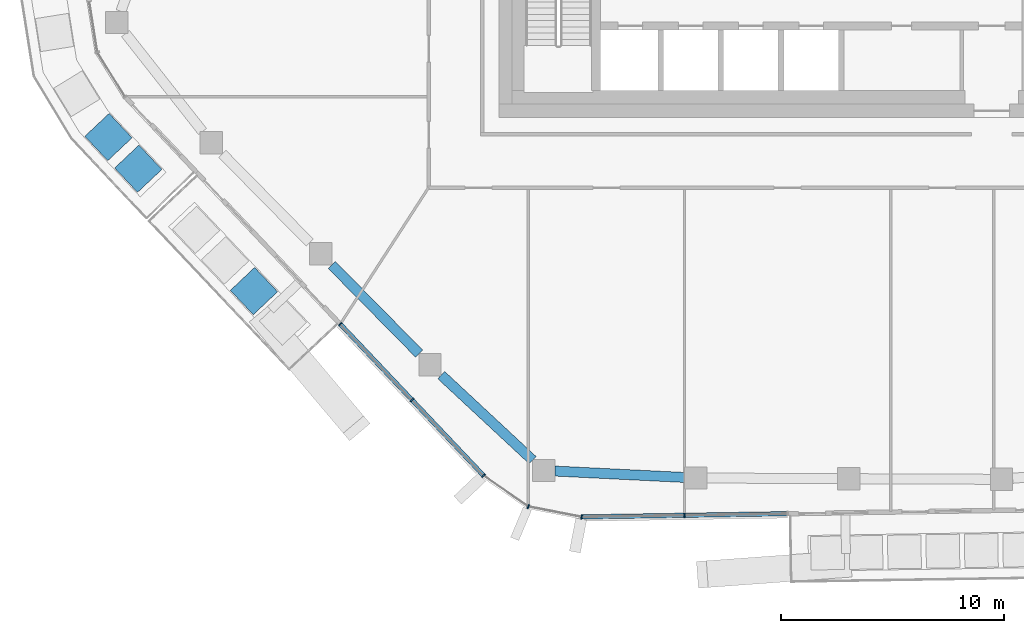
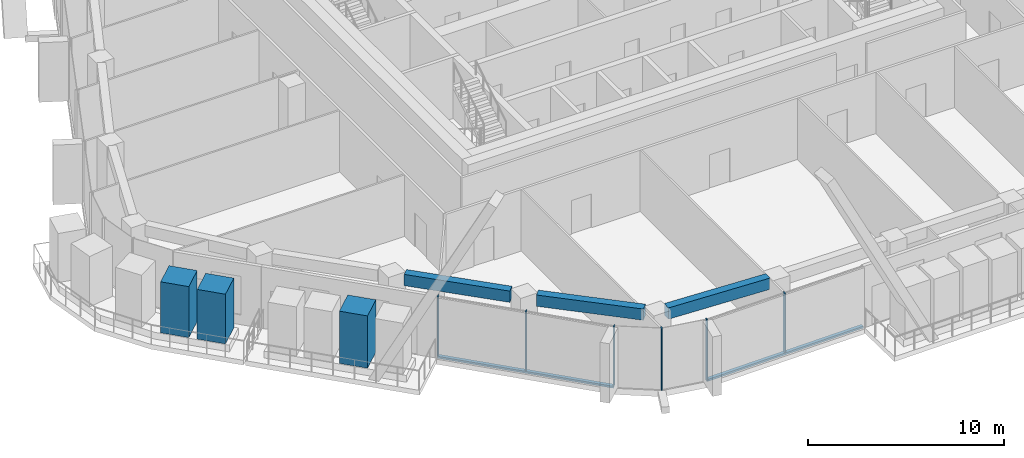
# One storey, part 2 of 24: 11 members, 3 beams, 3 elements without a shape of their own.
"""IFC4 building model written with IfcOpenShell, lengths in metres."""

from ifc_helpers import new_model, si_unit, direction, frame, origin, origin_2d, place, context, subcontext, project, spatial, rectangle, extrude, material, layer, layer_set, material_profile, profile_set, type_object, element, aggregate, save


model = new_model("IFC4")

# Units and contexts
model_context = context("Model", 3, precision=1e-05, world=origin(), true_north=direction((0.0, 1.0)))
body_context = subcontext(model_context, "Body", "Model", "MODEL_VIEW")
ifc_project = project(units=[si_unit("LENGTHUNIT", "METRE"), si_unit("AREAUNIT", "SQUARE_METRE"), si_unit("VOLUMEUNIT", "CUBIC_METRE"), si_unit("PLANEANGLEUNIT", "RADIAN"), si_unit("MASSUNIT", "GRAM", prefix="KILO")], contexts=[model_context])

# Site, building, storey
site_placement = place(None, origin())
site = spatial("IfcSite", under=ifc_project, at=site_placement, CompositionType="ELEMENT")
building_placement = place(site_placement, origin())
building = spatial("IfcBuilding", under=site, at=building_placement, Name="Dongbaek Canopy Tower", CompositionType="ELEMENT")
storey_placement = place(building_placement, frame((0.0, 0.0, 298.39990234375)))
storey = spatial("IfcBuildingStorey", under=building, at=storey_placement, Name="L63", CompositionType="ELEMENT", Elevation=298.39990234375)

# Curtain wall, members
ifc_material_1 = material(Name="Aluminium 6063-T6 pale anodised", Category="aluminium")
ifc_layer = layer(ifc_material_1, 0.199951171875)
ifc_layer_set = layer_set([ifc_layer], Name="CW-1 unitised tower curtain wall")
curtain_wall_type = type_object("IfcCurtainWallType", Name="CW-1 unitised tower curtain wall", PredefinedType="NOTDEFINED", material=ifc_layer_set)
curtain_wall_1_placement = place(storey_placement, origin())
curtain_wall_1 = element("IfcCurtainWall", 1, at=curtain_wall_1_placement, inside=storey, type_object=curtain_wall_type, Name="CW-1 curtain wall F3.1", PredefinedType="NOTDEFINED")
ifc_material_2 = material(Name="Aluminium 6063-T6 pale anodised", Category="aluminium")
ifc_material_profile_1 = material_profile(ifc_material_2, rectangle(XDim=0.199951171875, YDim=0.06005859375, at=origin_2d()), Name="CW-1 mullion 60 x 200")
ifc_profile_set_1 = profile_set([ifc_material_profile_1], Name="Aluminium 6063-T6 pale anodised")
member_type_1 = type_object("IfcMemberType", Name="CW-1 mullion 60 x 200", PredefinedType="MULLION", material=ifc_profile_set_1)
member_1_placement = place(storey_placement, frame((-21.110107421875, -20.26953125, 0.1201171875), z_axis=(0.0, 0.0, 1.0), x_axis=(-0.72635486076, -0.687319879132, 0.0)))
member_1 = element("IfcMember", 2, at=member_1_placement, type_object=member_type_1, Name="CW-1 mullion F3.1.1", PredefinedType="MULLION", context=body_context, shape_type="SweptSolid", body=[
    extrude(rectangle(XDim=0.199951171875, YDim=0.06005859375, at=origin_2d()), origin(), (0.0, 0.0, 1.0), 3.699951171875),
])
member_2_placement = place(storey_placement, frame((-17.893310546875, -23.6689453125, 0.1201171875), z_axis=(0.0, 0.0, 1.0), x_axis=(-0.72635486076, -0.687319879132, 0.0)))
member_2 = element("IfcMember", 3, at=member_2_placement, type_object=member_type_1, Name="CW-1 mullion F3.1.2", PredefinedType="MULLION", context=body_context, shape_type="SweptSolid", body=[
    extrude(rectangle(XDim=0.199951171875, YDim=0.06005859375, at=origin_2d()), origin(), (0.0, 0.0, 1.0), 3.699951171875),
])
member_3_placement = place(storey_placement, frame((-14.683837890625, -27.060546875, 0.1201171875), z_axis=(0.0, 0.0, 1.0), x_axis=(-0.72635486076, -0.687319879132, 0.0)))
member_3 = element("IfcMember", 4, at=member_3_placement, type_object=member_type_1, Name="CW-1 mullion F3.1.3", PredefinedType="MULLION", context=body_context, shape_type="SweptSolid", body=[
    extrude(rectangle(XDim=0.199951171875, YDim=0.06005859375, at=origin_2d()), origin(), (0.0, 0.0, 1.0), 3.699951171875),
])

curtain_wall_2_placement = place(storey_placement, origin())
curtain_wall_2 = element("IfcCurtainWall", 5, at=curtain_wall_2_placement, inside=storey, type_object=curtain_wall_type, Name="CW-1 curtain wall K4.1", PredefinedType="NOTDEFINED")
member_4_placement = place(storey_placement, frame((-12.6806640625, -28.4482421875, 0.0), z_axis=(0.0, 0.0, 1.0), x_axis=(-0.388183293071, -0.921582188945, 0.0)))
member_4 = element("IfcMember", 6, at=member_4_placement, type_object=member_type_1, Name="CW-1 mullion K4.1.2", PredefinedType="MULLION", context=body_context, shape_type="SweptSolid", body=[
    extrude(rectangle(XDim=0.199951171875, YDim=0.06005859375, at=origin_2d()), origin(), (0.0, 0.0, 1.0), 3.820068359375),
])
member_5_placement = place(storey_placement, frame((-10.2880859375, -28.912109375, 0.0), z_axis=(0.0, 0.0, 1.0), x_axis=(-0.190319354711, -0.981722233232, 0.0)))
member_5 = element("IfcMember", 7, at=member_5_placement, type_object=member_type_1, Name="CW-1 mullion K4.1.3", PredefinedType="MULLION", context=body_context, shape_type="SweptSolid", body=[
    extrude(rectangle(XDim=0.199951171875, YDim=0.06005859375, at=origin_2d()), origin(), (0.0, 0.0, 1.0), 3.820068359375),
])
aggregate(curtain_wall_2, [member_4, member_5])

# Curtain wall, member
curtain_wall_3_placement = place(storey_placement, origin())
curtain_wall_3 = element("IfcCurtainWall", 8, at=curtain_wall_3_placement, inside=storey, type_object=curtain_wall_type, Name="CW-1 curtain wall F4.1", PredefinedType="NOTDEFINED")
member_6_placement = place(storey_placement, frame((-5.6767578125, -28.83984375, 0.1201171875), z_axis=(0.0, 0.0, 1.0), x_axis=(0.015683964455, -0.999876999065, 0.0)))
member_6 = element("IfcMember", 9, at=member_6_placement, type_object=member_type_1, Name="CW-1 mullion F4.1.2", PredefinedType="MULLION", context=body_context, shape_type="SweptSolid", body=[
    extrude(rectangle(XDim=0.199951171875, YDim=0.06005859375, at=origin_2d()), origin(), (0.0, 0.0, 1.0), 3.699951171875),
])

# Member
ifc_material_3 = material(Name="Aluminium 6063-T6 pale anodised", Category="aluminium")
ifc_material_profile_2 = material_profile(ifc_material_3, rectangle(XDim=0.199951171875, YDim=0.1201171875, at=origin_2d()), Name="CW-1 transom 120 x 200")
ifc_profile_set_2 = profile_set([ifc_material_profile_2], Name="Aluminium 6063-T6 pale anodised")
member_type_2 = type_object("IfcMemberType", Name="CW-1 transom 120 x 200", PredefinedType="USERDEFINED", material=ifc_profile_set_2)
member_7_placement = place(storey_placement, frame((-21.110107421875, -20.26953125, 0.06005859375), z_axis=(0.687331693276, -0.726343681337, 0.0), x_axis=(0.726343681337, 0.687331693276, 0.0)))
member_7 = element("IfcMember", 10, at=member_7_placement, type_object=member_type_2, Name="CW-1 transom F3.1.1", ObjectType="TRANSOM", PredefinedType="USERDEFINED", context=body_context, shape_type="SweptSolid", body=[
    extrude(rectangle(XDim=0.199951171875, YDim=0.1201171875, at=origin_2d()), origin(), (0.0, 0.0, 1.0), 9.349609375),
])

aggregate(curtain_wall_1, [member_1, member_2, member_3, member_7])

member_8_placement = place(storey_placement, frame((-10.2880859375, -28.912109375, 0.06005859375), z_axis=(0.999877092259, 0.015678022045, 0.0), x_axis=(-0.015678022045, 0.999877092259, 0.0)))
member_8 = element("IfcMember", 11, at=member_8_placement, type_object=member_type_2, Name="CW-1 transom F4.1.1", ObjectType="TRANSOM", PredefinedType="USERDEFINED", context=body_context, shape_type="SweptSolid", body=[
    extrude(rectangle(XDim=0.199951171875, YDim=0.1201171875, at=origin_2d()), origin(), (0.0, 0.0, 1.0), 9.234375),
])

aggregate(curtain_wall_3, [member_6, member_8])

# Beams
ifc_material_4 = material(Name="Concrete C60", Category="concrete")
ifc_material_profile_3 = material_profile(ifc_material_4, rectangle(XDim=0.449951171875, YDim=0.699951171875, at=origin_2d()), Name="RC EDGE BEAM 450x700 C60")
ifc_profile_set_3 = profile_set([ifc_material_profile_3], Name="Concrete C60")
beam_type = type_object("IfcBeamType", Name="RC EDGE BEAM 450x700 C60", PredefinedType="BEAM", material=ifc_profile_set_3)
beam_1_placement = place(storey_placement, frame((-5.666015625, -27.142333984375, 3.47021484375), z_axis=(-0.998789160621, 0.049195656579, 0.0), x_axis=(-0.049195656579, -0.998789160621, 0.0)))
element("IfcBeam", 12, at=beam_1_placement, inside=storey, type_object=beam_type, Name="EDGEBEAM:L63:03", PredefinedType="BEAM", context=body_context, shape_type="SweptSolid", body=[
    extrude(rectangle(XDim=0.449951171875, YDim=0.699951171875, at=origin_2d()), origin(), (0.0, 0.0, 1.0), 5.826171875),
])
beam_2_placement = place(storey_placement, frame((-12.485107421875, -26.365966796875, 3.47021484375), z_axis=(-0.732266655485, 0.681018021248, 0.0), x_axis=(-0.681018021248, -0.732266655485, 0.0)))
element("IfcBeam", 13, at=beam_2_placement, inside=storey, type_object=beam_type, Name="EDGEBEAM:L63:04", PredefinedType="BEAM", context=body_context, shape_type="SweptSolid", body=[
    extrude(rectangle(XDim=0.449951171875, YDim=0.699951171875, at=origin_2d()), origin(), (0.0, 0.0, 1.0), 5.597412109375),
])
beam_3_placement = place(storey_placement, frame((-17.576416015625, -21.589111328125, 3.47021484375), z_axis=(-0.701706740597, 0.712465894062, 0.0), x_axis=(-0.712465894062, -0.701706740597, 0.0)))
element("IfcBeam", 14, at=beam_3_placement, inside=storey, type_object=beam_type, Name="EDGEBEAM:L63:05", PredefinedType="BEAM", context=body_context, shape_type="SweptSolid", body=[
    extrude(rectangle(XDim=0.449951171875, YDim=0.699951171875, at=origin_2d()), origin(), (0.0, 0.0, 1.0), 5.58203125),
])

# Members
ifc_material_5 = material(Name="Concrete C40/50 planter mass with planting", Category="concrete")
ifc_material_profile_4 = material_profile(ifc_material_5, rectangle(XDim=1.5, YDim=1.5, at=origin_2d()), Name="Terrace PLANTER shrub mass 1500 x 1500")
ifc_profile_set_4 = profile_set([ifc_material_profile_4], Name="Concrete C40/50 planter mass with planting")
member_type_3 = type_object("IfcMemberType", Name="Terrace PLANTER shrub mass 1500 x 1500", PredefinedType="USERDEFINED", material=ifc_profile_set_4)
member_9_placement = place(storey_placement, frame((-24.977294921875, -18.786865234375, 0.420166015625), z_axis=(0.0, 0.0, 1.0), x_axis=(-0.72635486076, -0.687319879132, 0.0)))
element("IfcMember", 15, at=member_9_placement, inside=storey, type_object=member_type_3, Name="Planter shrubs L63 3.3", ObjectType="PLANTER", PredefinedType="USERDEFINED", context=body_context, shape_type="SweptSolid", body=[
    extrude(rectangle(XDim=1.5, YDim=1.5, at=origin_2d()), origin(), (0.0, 0.0, 1.0), 3.25),
])
member_10_placement = place(storey_placement, frame((-31.501708984375, -11.882568359375, 0.420166015625), z_axis=(0.0, 0.0, 1.0), x_axis=(-0.72784481532, -0.685741879144, 0.0)))
element("IfcMember", 16, at=member_10_placement, inside=storey, type_object=member_type_3, Name="Planter shrubs L63 7.4", ObjectType="PLANTER", PredefinedType="USERDEFINED", context=body_context, shape_type="SweptSolid", body=[
    extrude(rectangle(XDim=1.5, YDim=1.5, at=origin_2d()), origin(), (0.0, 0.0, 1.0), 3.169921875),
])
member_11_placement = place(storey_placement, frame((-30.164794921875, -13.301513671875, 0.420166015625), z_axis=(0.0, 0.0, 1.0), x_axis=(-0.72784481532, -0.685741879144, 0.0)))
element("IfcMember", 17, at=member_11_placement, inside=storey, type_object=member_type_3, Name="Planter shrubs L63 7.5", ObjectType="PLANTER", PredefinedType="USERDEFINED", context=body_context, shape_type="SweptSolid", body=[
    extrude(rectangle(XDim=1.5, YDim=1.5, at=origin_2d()), origin(), (0.0, 0.0, 1.0), 3.08984375),
])

save(model, "model.ifc")
